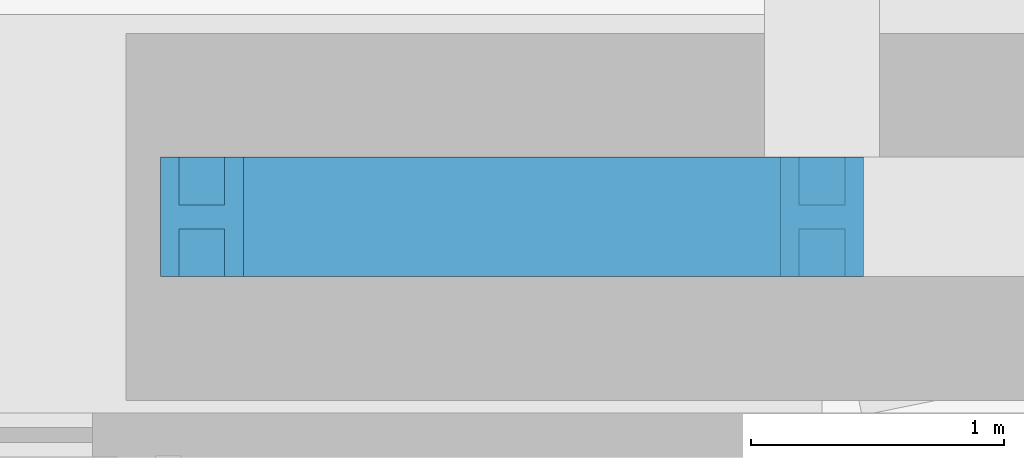
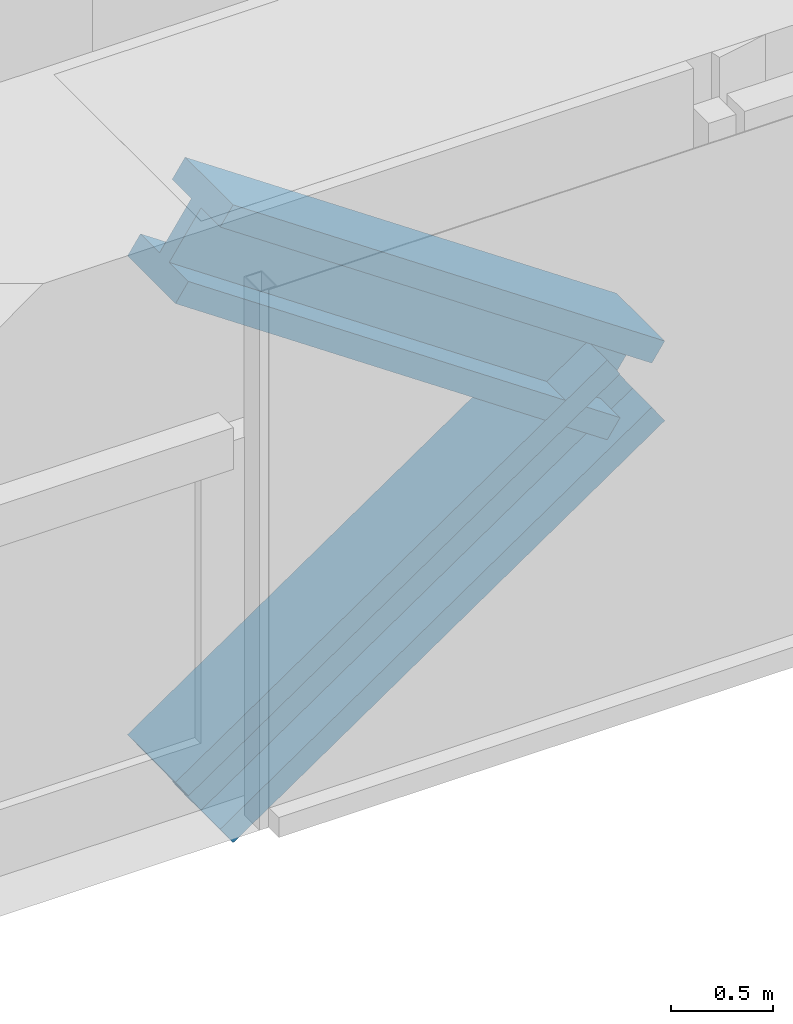
# One storey, part 6 of 24: 2 members.
"""IFC4 building model written with IfcOpenShell, lengths in metres."""

import ifcopenshell
import ifcopenshell.guid

model = None  # the IFC model being written
_history = None  # IfcOwnerHistory: only IFC2X3 demands one
_inside = {}  # id of a spatial element -> (the spatial element, [elements in it])
_under = {}  # id of a project, library or spatial element -> (it, [spatial elements below it])
_declared = {}  # id of a project -> (the project, [libraries it declares])
_typed = {}  # id of a type object -> (the type object, [elements of that type])
_made_of = {}  # id of a material, layer set ... -> (it, [elements and type objects made of it])


def new_model(schema):
    """Start an empty IFC model of exactly this schema.

    Asked for "IFC4X3", IfcOpenShell would pick the latest addendum, in which some entities
    have other attributes; the version numbers below select the first issue.
    IFC2X3 requires an IfcOwnerHistory on every rooted entity: one is made here for all.
    """
    global model, _history
    if schema == "IFC4X3":
        model = ifcopenshell.file(schema_version=(4, 3, 0, 0))
    else:
        model = ifcopenshell.file(schema=schema)
    _inside.clear()
    _under.clear()
    _declared.clear()
    _typed.clear()
    _made_of.clear()
    _history = None
    if model.schema == "IFC2X3":
        org = make("IfcOrganization", Name="unknown")
        user = make(
            "IfcPersonAndOrganization",
            ThePerson=make("IfcPerson", FamilyName="unknown"),
            TheOrganization=org,
        )
        app = make(
            "IfcApplication",
            ApplicationDeveloper=org,
            Version="unknown",
            ApplicationFullName="unknown",
            ApplicationIdentifier="unknown",
        )
        _history = make(
            "IfcOwnerHistory",
            OwningUser=user,
            OwningApplication=app,
            ChangeAction="ADDED",
            CreationDate=0,
        )
    return model


def make(cls, **values):
    """One entity of the class cls with the attributes given. An attribute that is None is left unset."""
    return model.create_entity(
        cls, **{name: value for name, value in values.items() if value is not None}
    )


def rooted(cls, **values):
    """An entity with a GlobalId (a new one), such as an element, a storey or a relation."""
    return make(cls, GlobalId=ifcopenshell.guid.new(), OwnerHistory=_history, **values)


def si_unit(unit_type, name, prefix=None):
    """IfcSIUnit, for example si_unit("LENGTHUNIT", "METRE", prefix="MILLI")."""
    return make("IfcSIUnit", UnitType=unit_type, Prefix=prefix, Name=name)


def assignment(units):
    """IfcUnitAssignment: the units of a project."""
    return None if units is None else make("IfcUnitAssignment", Units=units)


def point(xyz):
    """IfcCartesianPoint."""
    return None if xyz is None else make("IfcCartesianPoint", Coordinates=xyz)


def direction(xyz):
    """IfcDirection."""
    return None if xyz is None else make("IfcDirection", DirectionRatios=xyz)


def frame(location, z_axis=None, x_axis=None):
    """IfcAxis2Placement3D, a coordinate frame: its origin and axes. An axis left out is left unset."""
    return make(
        "IfcAxis2Placement3D",
        Location=point(location),
        Axis=direction(z_axis),
        RefDirection=direction(x_axis),
    )


def frame_2d(location, x_axis=None):
    """IfcAxis2Placement2D, a coordinate frame in the plane: its origin and x axis."""
    return make(
        "IfcAxis2Placement2D", Location=point(location), RefDirection=direction(x_axis)
    )


def origin():
    """The frame at (0, 0, 0) with its axes left unset."""
    return frame((0.0, 0.0, 0.0))


def origin_2d():
    """The frame at (0, 0) in the plane with its x axis left unset."""
    return frame_2d((0.0, 0.0))


def place(relative_to, where):
    """IfcLocalPlacement: puts the frame where relative to a parent placement (None: the world)."""
    return make(
        "IfcLocalPlacement", PlacementRelTo=relative_to, RelativePlacement=where
    )


def context(
    kind, dimensions, precision=None, world=None, true_north=None, identifier=None
):
    """IfcGeometricRepresentationContext, for example the 3D "Model" context."""
    return make(
        "IfcGeometricRepresentationContext",
        ContextIdentifier=identifier,
        ContextType=kind,
        CoordinateSpaceDimension=dimensions,
        Precision=precision,
        WorldCoordinateSystem=world,
        TrueNorth=true_north,
    )


def subcontext(parent, identifier, kind, view, scale=None):
    """IfcGeometricRepresentationSubContext, for example "Body" below "Model"."""
    return make(
        "IfcGeometricRepresentationSubContext",
        ContextIdentifier=identifier,
        ContextType=kind,
        ParentContext=parent,
        TargetScale=scale,
        TargetView=view,
    )


def project(units=None, contexts=None):
    """IfcProject with its units and contexts."""
    return rooted(
        "IfcProject",
        Name="project",
        RepresentationContexts=contexts,
        UnitsInContext=assignment(units),
    )


def spatial(cls, under=None, at=None, **own):
    """A site, building, storey or space (cls), placed at a placement, below another one or the project."""
    s = rooted(cls, ObjectPlacement=at, **own)
    if under is not None:
        _under.setdefault(under.id(), (under, []))[1].append(s)
    return s


def profile(cls, at=None, kind="AREA", **sizes):
    """A parametric profile (cls). Its sizes go by their IFC names, for example OverallWidth=200.0."""
    return make(cls, ProfileType=kind, Position=at, **sizes)


def i_section(**sizes):
    """IfcIShapeProfileDef."""
    return profile("IfcIShapeProfileDef", **sizes)


def extrude(swept, where, along, depth):
    """IfcExtrudedAreaSolid: the profile swept, set in the frame where, extruded along a direction by depth."""
    return make(
        "IfcExtrudedAreaSolid",
        SweptArea=swept,
        Position=where,
        ExtrudedDirection=direction(along),
        Depth=depth,
    )


def shape(context_of_items, identifier, shape_type, items):
    """IfcShapeRepresentation: the items that make up one representation, for example the "Body"."""
    return make(
        "IfcShapeRepresentation",
        ContextOfItems=context_of_items,
        RepresentationIdentifier=identifier,
        RepresentationType=shape_type,
        Items=items,
    )


def material(Name=None, Category=None):
    """IfcMaterial."""
    return make("IfcMaterial", Name=Name, Category=Category)


def material_profile(
    of_material, cross_section, Name=None, Category=None, Priority=None
):
    """IfcMaterialProfile: a cross section and its material."""
    return make(
        "IfcMaterialProfile",
        Name=Name,
        Material=of_material,
        Profile=cross_section,
        Priority=Priority,
        Category=Category,
    )


def profile_set(profiles, Name=None, composite=None):
    """IfcMaterialProfileSet."""
    return make(
        "IfcMaterialProfileSet",
        Name=Name,
        MaterialProfiles=profiles,
        CompositeProfile=composite,
    )


def made_of(thing, what):
    """Note that an element or type object is made of a material, layer set ...; save() writes the relation."""
    if what is not None:
        _made_of.setdefault(what.id(), (what, []))[1].append(thing)
    return thing


def type_object(cls, material=None, **own):
    """A type object (cls), such as IfcWallType, which elements share."""
    return made_of(rooted(cls, **own), material)


def element(
    cls,
    number,
    at=None,
    inside=None,
    cuts=None,
    type_object=None,
    material=None,
    context=None,
    identifier="Body",
    shape_type=None,
    held_by="IfcProductDefinitionShape",
    body=None,
    shapes=None,
    **own,
):
    """One element of the class cls, such as IfcWall. Its Tag is "e" and its number.

    at: its placement. inside: the storey or other place that contains it. cuts: it is an
    opening in that element (IfcRelVoidsElement). A single representation is given by context,
    identifier, shape_type and body (its items); several are given by shapes. held_by: the class
    of the entity that holds the representations. save() writes the other relations.
    """
    e = rooted(cls, Tag="e%d" % number, ObjectPlacement=at, **own)
    if body is not None:
        shapes = [shape(context, identifier, shape_type, body)]
    if shapes is not None:
        e.Representation = make(held_by, Representations=shapes)
    if inside is not None:
        _inside.setdefault(inside.id(), (inside, []))[1].append(e)
    if cuts is not None:
        rooted(
            "IfcRelVoidsElement", RelatingBuildingElement=cuts, RelatedOpeningElement=e
        )
    if type_object is not None:
        _typed.setdefault(type_object.id(), (type_object, []))[1].append(e)
    return made_of(e, material)


def aggregate(whole, parts):
    """IfcRelAggregates: a whole, such as a stair, and the parts it consists of."""
    return rooted("IfcRelAggregates", RelatingObject=whole, RelatedObjects=parts)


def save(model, path):
    """Write the relations noted so far, then the file.

    IfcRelAggregates (storeys below a building ...), IfcRelContainedInSpatialStructure (elements
    in a storey), IfcRelDefinesByType, IfcRelAssociatesMaterial and IfcRelDeclares: one each for
    every whole, place, type object, material and project.
    """
    for whole, parts in _under.values():
        aggregate(whole, parts)
    for where, things in _inside.values():
        rooted(
            "IfcRelContainedInSpatialStructure",
            RelatedElements=things,
            RelatingStructure=where,
        )
    for kind, things in _typed.values():
        rooted("IfcRelDefinesByType", RelatedObjects=things, RelatingType=kind)
    for what, things in _made_of.values():
        rooted("IfcRelAssociatesMaterial", RelatedObjects=things, RelatingMaterial=what)
    for by, libraries in _declared.values():
        rooted("IfcRelDeclares", RelatingContext=by, RelatedDefinitions=libraries)
    model.write(path)


model = new_model("IFC4")

# Units and contexts
model_context = context("Model", 3, precision=1e-05, world=origin(), true_north=direction((0.0, 1.0)))
body_context = subcontext(model_context, "Body", "Model", "MODEL_VIEW")
ifc_project = project(units=[si_unit("LENGTHUNIT", "METRE"), si_unit("AREAUNIT", "SQUARE_METRE"), si_unit("VOLUMEUNIT", "CUBIC_METRE"), si_unit("PLANEANGLEUNIT", "RADIAN"), si_unit("MASSUNIT", "GRAM", prefix="KILO")], contexts=[model_context])

# Site, building, storey
site_placement = place(None, origin())
site = spatial("IfcSite", under=ifc_project, at=site_placement, CompositionType="ELEMENT")
building_placement = place(site_placement, origin())
building = spatial("IfcBuilding", under=site, at=building_placement, Name="Jalousie Tower", CompositionType="ELEMENT")
storey_placement = place(building_placement, frame((0.0, 0.0, 51.14990234375)))
storey = spatial("IfcBuildingStorey", under=building, at=storey_placement, Name="L13", CompositionType="ELEMENT", Elevation=51.14990234375)

# Members
ifc_material = material(Name="Steel ASTM A992 Grade 50", Category="steel")
ifc_material_profile = material_profile(ifc_material, i_section(OverallWidth=0.472412109375, OverallDepth=0.5791015625, WebThickness=0.094970703125, FlangeThickness=0.1298828125, at=origin_2d()), Name="W14X808")
ifc_profile_set = profile_set([ifc_material_profile], Name="Steel ASTM A992 Grade 50")
member_type = type_object("IfcMemberType", Name="PERIMETER BRACE W14X808", PredefinedType="BRACE", material=ifc_profile_set)
for number, where, z_axis, x_axis, name in (
    (1, (32.550048828125, 0.949951171875, -0.599853515625), (0.825500916831, 0.0, 0.564400776321), (0.0, 1.0, 0.0), "Perimeter brace 04 L13 part 1"),
    (2, (35.0, 0.949951171875, 1.0751953125), (-0.825539243753, 0.0, 0.564344714713), (0.0, -1.0, 0.0), "Perimeter brace 04 L13 part 4"),
):
    element("IfcMember", number, at=place(storey_placement, frame(where, z_axis=z_axis, x_axis=x_axis)), inside=storey, type_object=member_type, Name=name, PredefinedType="BRACE", context=body_context, shape_type="SweptSolid", body=[
        extrude(i_section(OverallWidth=0.472412109375, OverallDepth=0.5791015625, WebThickness=0.094970703125, FlangeThickness=0.1298828125, at=origin_2d()), origin(), (0.0, 0.0, 1.0), 2.9677734375),
    ])

save(model, "model.ifc")
